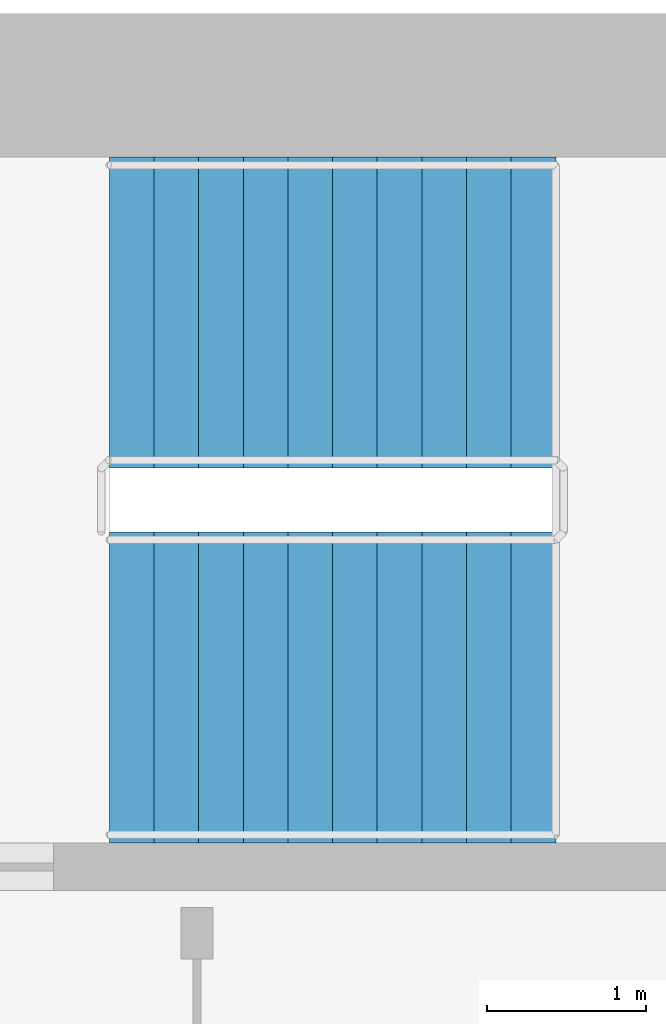
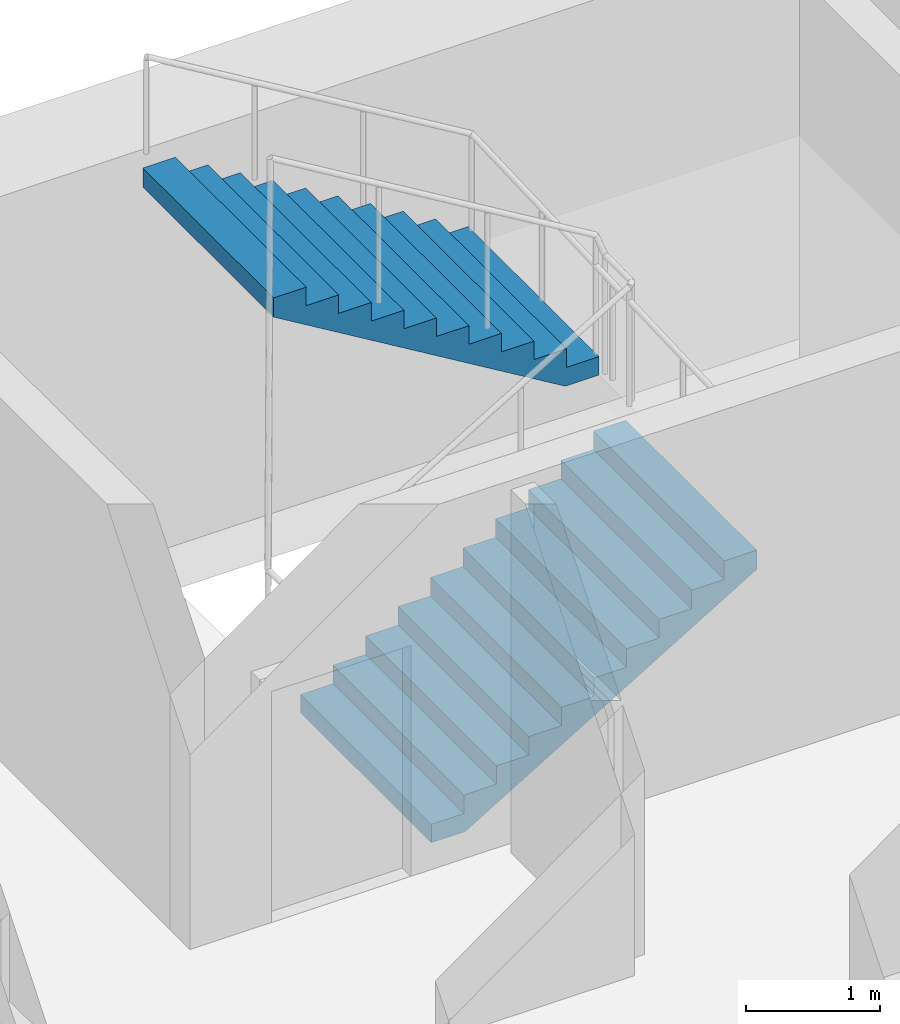
# One storey, part 17 of 22: 2 stair flights, 1 element without a shape of its own.
"""IFC4 building model written with IfcOpenShell, lengths in metres."""

from ifc_helpers import new_model, si_unit, direction, frame, origin, place, context, subcontext, project, spatial, polyline, outline, extrude, material, type_object, element, aggregate, save


model = new_model("IFC4")

# Units and contexts
model_context = context("Model", 3, precision=1e-05, world=origin(), true_north=direction((0.0, 1.0)))
body_context = subcontext(model_context, "Body", "Model", "MODEL_VIEW")
ifc_project = project(units=[si_unit("LENGTHUNIT", "METRE"), si_unit("AREAUNIT", "SQUARE_METRE"), si_unit("VOLUMEUNIT", "CUBIC_METRE"), si_unit("PLANEANGLEUNIT", "RADIAN"), si_unit("MASSUNIT", "GRAM", prefix="KILO")], contexts=[model_context])

# Site, building, storey
site_placement = place(None, origin())
site = spatial("IfcSite", under=ifc_project, at=site_placement, CompositionType="ELEMENT")
building_placement = place(site_placement, origin())
building = spatial("IfcBuilding", under=site, at=building_placement, Name="Hunhe Ridgeline Campus", CompositionType="ELEMENT")
storey_placement = place(building_placement, frame((0.0, 0.0, 133.800048828125)))
storey = spatial("IfcBuildingStorey", under=building, at=storey_placement, Name="L33", CompositionType="ELEMENT", Elevation=133.800048828125)

# Stair, stair flights
ifc_material = material(Name="Concrete C40", Category="concrete")
stair_type = type_object("IfcStairType", Name="Reinforced concrete dog-leg stair 1950 Concrete C40", PredefinedType="HALF_TURN_STAIR", material=ifc_material)
stair_placement = place(storey_placement, origin())
stair = element("IfcStair", 1, at=stair_placement, inside=storey, type_object=stair_type, Name="L33 E2", PredefinedType="HALF_TURN_STAIR")
stair_flight_type = type_object("IfcStairFlightType", Name="Reinforced concrete stair flight 1950 Concrete C40", PredefinedType="STRAIGHT", material=ifc_material)
stair_flight_1_placement = place(storey_placement, frame((51.64990234375, 94.77490234375, 0.0), z_axis=(0.0, 0.0, 1.0), x_axis=(1.0, 0.0, 0.0)))
stair_flight_1 = element("IfcStairFlight", 2, at=stair_flight_1_placement, type_object=stair_flight_type, Name="ST6 flight 1", NumberOfRisers=11, NumberOfTreads=10, PredefinedType="STRAIGHT", RiserHeight=0.168181818, TreadLength=0.28, context=body_context, shape_type="SweptSolid", body=[
    extrude(outline(polyline([(0.0, 0.0), (0.0, 0.168212890625), (0.280029296875, 0.168212890625), (0.280029296875, 0.33642578125), (0.56005859375, 0.33642578125), (0.56005859375, 0.504638671875), (0.840087890625, 0.504638671875), (0.840087890625, 0.672607421875), (1.1201171875, 0.672607421875), (1.1201171875, 0.8408203125), (1.39990234375, 0.8408203125), (1.39990234375, 1.009033203125), (1.679931640625, 1.009033203125), (1.679931640625, 1.17724609375), (1.9599609375, 1.17724609375), (1.9599609375, 1.345458984375), (2.239990234375, 1.345458984375), (2.239990234375, 1.513671875), (2.52001953125, 1.513671875), (2.52001953125, 1.681884765625), (2.800048828125, 1.681884765625), (2.800048828125, 1.85009765625), (2.800048828125, 1.5068359375), (0.291015625, 0.0), (0.0, 0.0)])), frame((0.0, 0.97509765625, 0.0), z_axis=(0.0, -1.0, 0.0), x_axis=(1.0, 0.0, 0.0)), (0.0, 0.0, 1.0), 1.949951171875),
    extrude(outline(polyline([(0.030029296875, 0.030029296875), (0.030029296875, 0.13818359375), (0.31005859375, 0.13818359375), (0.31005859375, 0.306396484375), (0.590087890625, 0.306396484375), (0.590087890625, 0.474609375), (0.8701171875, 0.474609375), (0.8701171875, 0.642578125), (1.14990234375, 0.642578125), (1.14990234375, 0.810791015625), (1.429931640625, 0.810791015625), (1.429931640625, 0.97900390625), (1.7099609375, 0.97900390625), (1.7099609375, 1.147216796875), (1.989990234375, 1.147216796875), (1.989990234375, 1.3154296875), (2.27001953125, 1.3154296875), (2.27001953125, 1.483642578125), (2.550048828125, 1.483642578125), (2.550048828125, 1.65185546875), (2.77001953125, 1.65185546875), (2.77001953125, 1.52392578125), (0.28271484375, 0.030029296875), (0.030029296875, 0.030029296875)])), frame((0.0, -0.070068359375, 0.0), z_axis=(0.0, -1.0, 0.0), x_axis=(1.0, 0.0, 0.0)), (0.0, 0.0, 1.0), 0.019775390625),
    extrude(outline(polyline([(0.030029296875, 0.030029296875), (0.030029296875, 0.13818359375), (0.31005859375, 0.13818359375), (0.31005859375, 0.306396484375), (0.590087890625, 0.306396484375), (0.590087890625, 0.474609375), (0.8701171875, 0.474609375), (0.8701171875, 0.642578125), (1.14990234375, 0.642578125), (1.14990234375, 0.810791015625), (1.429931640625, 0.810791015625), (1.429931640625, 0.97900390625), (1.7099609375, 0.97900390625), (1.7099609375, 1.147216796875), (1.989990234375, 1.147216796875), (1.989990234375, 1.3154296875), (2.27001953125, 1.3154296875), (2.27001953125, 1.483642578125), (2.550048828125, 1.483642578125), (2.550048828125, 1.65185546875), (2.77001953125, 1.65185546875), (2.77001953125, 1.52392578125), (0.28271484375, 0.030029296875), (0.030029296875, 0.030029296875)])), frame((0.0, 0.010009765625, 0.0), z_axis=(0.0, -1.0, 0.0), x_axis=(1.0, 0.0, 0.0)), (0.0, 0.0, 1.0), 0.019775390625),
    extrude(outline(polyline([(0.030029296875, 0.030029296875), (0.030029296875, 0.13818359375), (0.31005859375, 0.13818359375), (0.31005859375, 0.306396484375), (0.590087890625, 0.306396484375), (0.590087890625, 0.474609375), (0.8701171875, 0.474609375), (0.8701171875, 0.642578125), (1.14990234375, 0.642578125), (1.14990234375, 0.810791015625), (1.429931640625, 0.810791015625), (1.429931640625, 0.97900390625), (1.7099609375, 0.97900390625), (1.7099609375, 1.147216796875), (1.989990234375, 1.147216796875), (1.989990234375, 1.3154296875), (2.27001953125, 1.3154296875), (2.27001953125, 1.483642578125), (2.550048828125, 1.483642578125), (2.550048828125, 1.65185546875), (2.77001953125, 1.65185546875), (2.77001953125, 1.52392578125), (0.28271484375, 0.030029296875), (0.030029296875, 0.030029296875)])), frame((0.0, 0.090087890625, 0.0), z_axis=(0.0, -1.0, 0.0), x_axis=(1.0, 0.0, 0.0)), (0.0, 0.0, 1.0), 0.019775390625),
])
stair_flight_2_placement = place(storey_placement, frame((54.449951171875, 97.125, 1.849853515625), z_axis=(0.0, 0.0, 1.0), x_axis=(-1.0, 0.0, 0.0)))
stair_flight_2 = element("IfcStairFlight", 3, at=stair_flight_2_placement, type_object=stair_flight_type, Name="ST6 flight 2", NumberOfRisers=11, NumberOfTreads=10, PredefinedType="STRAIGHT", RiserHeight=0.168181818, TreadLength=0.28, context=body_context, shape_type="SweptSolid", body=[
    extrude(outline(polyline([(0.0, 0.0), (0.0, 0.168212890625), (0.280029296875, 0.168212890625), (0.280029296875, 0.33642578125), (0.56005859375, 0.33642578125), (0.56005859375, 0.504638671875), (0.840087890625, 0.504638671875), (0.840087890625, 0.672607421875), (1.1201171875, 0.672607421875), (1.1201171875, 0.8408203125), (1.39990234375, 0.8408203125), (1.39990234375, 1.009033203125), (1.679931640625, 1.009033203125), (1.679931640625, 1.17724609375), (1.9599609375, 1.17724609375), (1.9599609375, 1.345458984375), (2.239990234375, 1.345458984375), (2.239990234375, 1.513671875), (2.52001953125, 1.513671875), (2.52001953125, 1.681884765625), (2.800048828125, 1.681884765625), (2.800048828125, 1.85009765625), (2.800048828125, 1.5068359375), (0.291015625, 0.0), (0.0, 0.0)])), frame((0.0, 0.97509765625, 0.0), z_axis=(0.0, -1.0, 0.0), x_axis=(1.0, 0.0, 0.0)), (0.0, 0.0, 1.0), 1.949951171875),
    extrude(outline(polyline([(0.030029296875, 0.030029296875), (0.030029296875, 0.13818359375), (0.31005859375, 0.13818359375), (0.31005859375, 0.306396484375), (0.590087890625, 0.306396484375), (0.590087890625, 0.474609375), (0.8701171875, 0.474609375), (0.8701171875, 0.642578125), (1.14990234375, 0.642578125), (1.14990234375, 0.810791015625), (1.429931640625, 0.810791015625), (1.429931640625, 0.97900390625), (1.7099609375, 0.97900390625), (1.7099609375, 1.147216796875), (1.989990234375, 1.147216796875), (1.989990234375, 1.3154296875), (2.27001953125, 1.3154296875), (2.27001953125, 1.483642578125), (2.550048828125, 1.483642578125), (2.550048828125, 1.65185546875), (2.77001953125, 1.65185546875), (2.77001953125, 1.52392578125), (0.28271484375, 0.030029296875), (0.030029296875, 0.030029296875)])), frame((0.0, -0.070068359375, 0.0), z_axis=(0.0, -1.0, 0.0), x_axis=(1.0, 0.0, 0.0)), (0.0, 0.0, 1.0), 0.019775390625),
    extrude(outline(polyline([(0.030029296875, 0.030029296875), (0.030029296875, 0.13818359375), (0.31005859375, 0.13818359375), (0.31005859375, 0.306396484375), (0.590087890625, 0.306396484375), (0.590087890625, 0.474609375), (0.8701171875, 0.474609375), (0.8701171875, 0.642578125), (1.14990234375, 0.642578125), (1.14990234375, 0.810791015625), (1.429931640625, 0.810791015625), (1.429931640625, 0.97900390625), (1.7099609375, 0.97900390625), (1.7099609375, 1.147216796875), (1.989990234375, 1.147216796875), (1.989990234375, 1.3154296875), (2.27001953125, 1.3154296875), (2.27001953125, 1.483642578125), (2.550048828125, 1.483642578125), (2.550048828125, 1.65185546875), (2.77001953125, 1.65185546875), (2.77001953125, 1.52392578125), (0.28271484375, 0.030029296875), (0.030029296875, 0.030029296875)])), frame((0.0, 0.010009765625, 0.0), z_axis=(0.0, -1.0, 0.0), x_axis=(1.0, 0.0, 0.0)), (0.0, 0.0, 1.0), 0.019775390625),
    extrude(outline(polyline([(0.030029296875, 0.030029296875), (0.030029296875, 0.13818359375), (0.31005859375, 0.13818359375), (0.31005859375, 0.306396484375), (0.590087890625, 0.306396484375), (0.590087890625, 0.474609375), (0.8701171875, 0.474609375), (0.8701171875, 0.642578125), (1.14990234375, 0.642578125), (1.14990234375, 0.810791015625), (1.429931640625, 0.810791015625), (1.429931640625, 0.97900390625), (1.7099609375, 0.97900390625), (1.7099609375, 1.147216796875), (1.989990234375, 1.147216796875), (1.989990234375, 1.3154296875), (2.27001953125, 1.3154296875), (2.27001953125, 1.483642578125), (2.550048828125, 1.483642578125), (2.550048828125, 1.65185546875), (2.77001953125, 1.65185546875), (2.77001953125, 1.52392578125), (0.28271484375, 0.030029296875), (0.030029296875, 0.030029296875)])), frame((0.0, 0.090087890625, 0.0), z_axis=(0.0, -1.0, 0.0), x_axis=(1.0, 0.0, 0.0)), (0.0, 0.0, 1.0), 0.019775390625),
])
aggregate(stair, [stair_flight_1, stair_flight_2])

save(model, "model.ifc")
